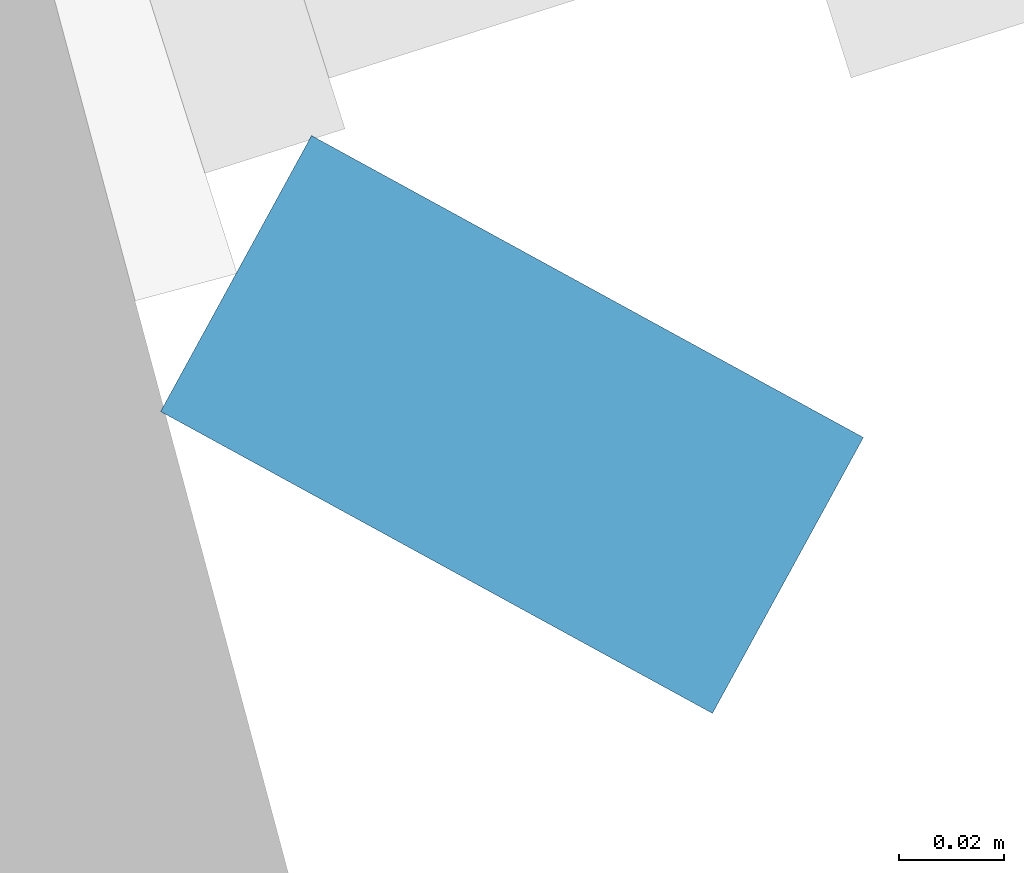
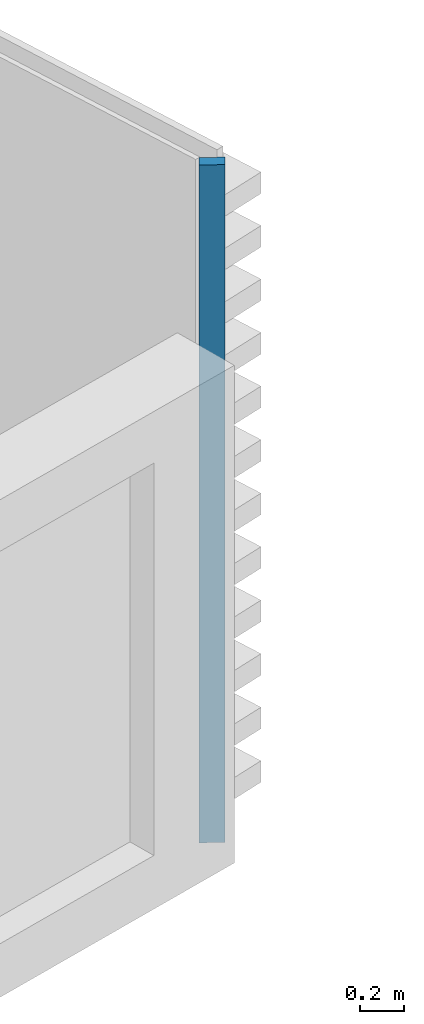
# One storey, part 18 of 40: 1 member, 1 element without a shape of its own.
"""IFC4 building model written with IfcOpenShell, lengths in metres."""

import ifcopenshell
import ifcopenshell.guid

model = None  # the IFC model being written
_history = None  # IfcOwnerHistory: only IFC2X3 demands one
_inside = {}  # id of a spatial element -> (the spatial element, [elements in it])
_under = {}  # id of a project, library or spatial element -> (it, [spatial elements below it])
_declared = {}  # id of a project -> (the project, [libraries it declares])
_typed = {}  # id of a type object -> (the type object, [elements of that type])
_made_of = {}  # id of a material, layer set ... -> (it, [elements and type objects made of it])


def new_model(schema):
    """Start an empty IFC model of exactly this schema.

    Asked for "IFC4X3", IfcOpenShell would pick the latest addendum, in which some entities
    have other attributes; the version numbers below select the first issue.
    IFC2X3 requires an IfcOwnerHistory on every rooted entity: one is made here for all.
    """
    global model, _history
    if schema == "IFC4X3":
        model = ifcopenshell.file(schema_version=(4, 3, 0, 0))
    else:
        model = ifcopenshell.file(schema=schema)
    _inside.clear()
    _under.clear()
    _declared.clear()
    _typed.clear()
    _made_of.clear()
    _history = None
    if model.schema == "IFC2X3":
        org = make("IfcOrganization", Name="unknown")
        user = make(
            "IfcPersonAndOrganization",
            ThePerson=make("IfcPerson", FamilyName="unknown"),
            TheOrganization=org,
        )
        app = make(
            "IfcApplication",
            ApplicationDeveloper=org,
            Version="unknown",
            ApplicationFullName="unknown",
            ApplicationIdentifier="unknown",
        )
        _history = make(
            "IfcOwnerHistory",
            OwningUser=user,
            OwningApplication=app,
            ChangeAction="ADDED",
            CreationDate=0,
        )
    return model


def make(cls, **values):
    """One entity of the class cls with the attributes given. An attribute that is None is left unset."""
    return model.create_entity(
        cls, **{name: value for name, value in values.items() if value is not None}
    )


def rooted(cls, **values):
    """An entity with a GlobalId (a new one), such as an element, a storey or a relation."""
    return make(cls, GlobalId=ifcopenshell.guid.new(), OwnerHistory=_history, **values)


def si_unit(unit_type, name, prefix=None):
    """IfcSIUnit, for example si_unit("LENGTHUNIT", "METRE", prefix="MILLI")."""
    return make("IfcSIUnit", UnitType=unit_type, Prefix=prefix, Name=name)


def assignment(units):
    """IfcUnitAssignment: the units of a project."""
    return None if units is None else make("IfcUnitAssignment", Units=units)


def point(xyz):
    """IfcCartesianPoint."""
    return None if xyz is None else make("IfcCartesianPoint", Coordinates=xyz)


def direction(xyz):
    """IfcDirection."""
    return None if xyz is None else make("IfcDirection", DirectionRatios=xyz)


def frame(location, z_axis=None, x_axis=None):
    """IfcAxis2Placement3D, a coordinate frame: its origin and axes. An axis left out is left unset."""
    return make(
        "IfcAxis2Placement3D",
        Location=point(location),
        Axis=direction(z_axis),
        RefDirection=direction(x_axis),
    )


def frame_2d(location, x_axis=None):
    """IfcAxis2Placement2D, a coordinate frame in the plane: its origin and x axis."""
    return make(
        "IfcAxis2Placement2D", Location=point(location), RefDirection=direction(x_axis)
    )


def origin():
    """The frame at (0, 0, 0) with its axes left unset."""
    return frame((0.0, 0.0, 0.0))


def origin_2d():
    """The frame at (0, 0) in the plane with its x axis left unset."""
    return frame_2d((0.0, 0.0))


def place(relative_to, where):
    """IfcLocalPlacement: puts the frame where relative to a parent placement (None: the world)."""
    return make(
        "IfcLocalPlacement", PlacementRelTo=relative_to, RelativePlacement=where
    )


def context(
    kind, dimensions, precision=None, world=None, true_north=None, identifier=None
):
    """IfcGeometricRepresentationContext, for example the 3D "Model" context."""
    return make(
        "IfcGeometricRepresentationContext",
        ContextIdentifier=identifier,
        ContextType=kind,
        CoordinateSpaceDimension=dimensions,
        Precision=precision,
        WorldCoordinateSystem=world,
        TrueNorth=true_north,
    )


def subcontext(parent, identifier, kind, view, scale=None):
    """IfcGeometricRepresentationSubContext, for example "Body" below "Model"."""
    return make(
        "IfcGeometricRepresentationSubContext",
        ContextIdentifier=identifier,
        ContextType=kind,
        ParentContext=parent,
        TargetScale=scale,
        TargetView=view,
    )


def project(units=None, contexts=None):
    """IfcProject with its units and contexts."""
    return rooted(
        "IfcProject",
        Name="project",
        RepresentationContexts=contexts,
        UnitsInContext=assignment(units),
    )


def spatial(cls, under=None, at=None, **own):
    """A site, building, storey or space (cls), placed at a placement, below another one or the project."""
    s = rooted(cls, ObjectPlacement=at, **own)
    if under is not None:
        _under.setdefault(under.id(), (under, []))[1].append(s)
    return s


def profile(cls, at=None, kind="AREA", **sizes):
    """A parametric profile (cls). Its sizes go by their IFC names, for example OverallWidth=200.0."""
    return make(cls, ProfileType=kind, Position=at, **sizes)


def rectangle(**sizes):
    """IfcRectangleProfileDef."""
    return profile("IfcRectangleProfileDef", **sizes)


def extrude(swept, where, along, depth):
    """IfcExtrudedAreaSolid: the profile swept, set in the frame where, extruded along a direction by depth."""
    return make(
        "IfcExtrudedAreaSolid",
        SweptArea=swept,
        Position=where,
        ExtrudedDirection=direction(along),
        Depth=depth,
    )


def shape(context_of_items, identifier, shape_type, items):
    """IfcShapeRepresentation: the items that make up one representation, for example the "Body"."""
    return make(
        "IfcShapeRepresentation",
        ContextOfItems=context_of_items,
        RepresentationIdentifier=identifier,
        RepresentationType=shape_type,
        Items=items,
    )


def material(Name=None, Category=None):
    """IfcMaterial."""
    return make("IfcMaterial", Name=Name, Category=Category)


def material_profile(
    of_material, cross_section, Name=None, Category=None, Priority=None
):
    """IfcMaterialProfile: a cross section and its material."""
    return make(
        "IfcMaterialProfile",
        Name=Name,
        Material=of_material,
        Profile=cross_section,
        Priority=Priority,
        Category=Category,
    )


def profile_set(profiles, Name=None, composite=None):
    """IfcMaterialProfileSet."""
    return make(
        "IfcMaterialProfileSet",
        Name=Name,
        MaterialProfiles=profiles,
        CompositeProfile=composite,
    )


def made_of(thing, what):
    """Note that an element or type object is made of a material, layer set ...; save() writes the relation."""
    if what is not None:
        _made_of.setdefault(what.id(), (what, []))[1].append(thing)
    return thing


def type_object(cls, material=None, **own):
    """A type object (cls), such as IfcWallType, which elements share."""
    return made_of(rooted(cls, **own), material)


def element(
    cls,
    number,
    at=None,
    inside=None,
    cuts=None,
    type_object=None,
    material=None,
    context=None,
    identifier="Body",
    shape_type=None,
    held_by="IfcProductDefinitionShape",
    body=None,
    shapes=None,
    **own,
):
    """One element of the class cls, such as IfcWall. Its Tag is "e" and its number.

    at: its placement. inside: the storey or other place that contains it. cuts: it is an
    opening in that element (IfcRelVoidsElement). A single representation is given by context,
    identifier, shape_type and body (its items); several are given by shapes. held_by: the class
    of the entity that holds the representations. save() writes the other relations.
    """
    e = rooted(cls, Tag="e%d" % number, ObjectPlacement=at, **own)
    if body is not None:
        shapes = [shape(context, identifier, shape_type, body)]
    if shapes is not None:
        e.Representation = make(held_by, Representations=shapes)
    if inside is not None:
        _inside.setdefault(inside.id(), (inside, []))[1].append(e)
    if cuts is not None:
        rooted(
            "IfcRelVoidsElement", RelatingBuildingElement=cuts, RelatedOpeningElement=e
        )
    if type_object is not None:
        _typed.setdefault(type_object.id(), (type_object, []))[1].append(e)
    return made_of(e, material)


def aggregate(whole, parts):
    """IfcRelAggregates: a whole, such as a stair, and the parts it consists of."""
    return rooted("IfcRelAggregates", RelatingObject=whole, RelatedObjects=parts)


def save(model, path):
    """Write the relations noted so far, then the file.

    IfcRelAggregates (storeys below a building ...), IfcRelContainedInSpatialStructure (elements
    in a storey), IfcRelDefinesByType, IfcRelAssociatesMaterial and IfcRelDeclares: one each for
    every whole, place, type object, material and project.
    """
    for whole, parts in _under.values():
        aggregate(whole, parts)
    for where, things in _inside.values():
        rooted(
            "IfcRelContainedInSpatialStructure",
            RelatedElements=things,
            RelatingStructure=where,
        )
    for kind, things in _typed.values():
        rooted("IfcRelDefinesByType", RelatedObjects=things, RelatingType=kind)
    for what, things in _made_of.values():
        rooted("IfcRelAssociatesMaterial", RelatedObjects=things, RelatingMaterial=what)
    for by, libraries in _declared.values():
        rooted("IfcRelDeclares", RelatingContext=by, RelatedDefinitions=libraries)
    model.write(path)


model = new_model("IFC4")

# Units and contexts
model_context = context("Model", 3, precision=1e-05, world=origin(), true_north=direction((0.0, 1.0)))
body_context = subcontext(model_context, "Body", "Model", "MODEL_VIEW")
ifc_project = project(units=[si_unit("LENGTHUNIT", "METRE"), si_unit("AREAUNIT", "SQUARE_METRE"), si_unit("VOLUMEUNIT", "CUBIC_METRE"), si_unit("PLANEANGLEUNIT", "RADIAN"), si_unit("MASSUNIT", "GRAM", prefix="KILO")], contexts=[model_context])

# Site, building, storey
site_placement = place(None, origin())
site = spatial("IfcSite", under=ifc_project, at=site_placement, CompositionType="ELEMENT")
building_placement = place(site_placement, origin())
building = spatial("IfcBuilding", under=site, at=building_placement, Name="Rimbun Link Towers", CompositionType="ELEMENT")
storey_placement = place(building_placement, frame((0.0, 0.0, 52.800048828125)))
storey = spatial("IfcBuildingStorey", under=building, at=storey_placement, Name="L12", CompositionType="ELEMENT", Elevation=52.800048828125)

# Curtain wall, member
ifc_material_1 = material(Name="Aluminium 6063-T6 and low-iron glass", Category="aluminium")
curtain_wall_type = type_object("IfcCurtainWallType", Name="CW1 unitised vision wall", PredefinedType="NOTDEFINED", material=ifc_material_1)
curtain_wall_placement = place(storey_placement, origin())
curtain_wall = element("IfcCurtainWall", 1, at=curtain_wall_placement, inside=storey, type_object=curtain_wall_type, Name="CW1 L12 T2", PredefinedType="NOTDEFINED")
ifc_material_2 = material(Name="Aluminium 6063-T6", Category="aluminium")
ifc_material_profile = material_profile(ifc_material_2, rectangle(XDim=0.1201171875, YDim=0.06005859375, at=origin_2d()), Name="MULLION 60X120")
ifc_profile_set = profile_set([ifc_material_profile], Name="Aluminium 6063-T6")
member_type = type_object("IfcMemberType", Name="CW1 mullion 60X120", PredefinedType="MULLION", material=ifc_profile_set)
member_placement = place(storey_placement, frame((53.410888671875, 5.760986328125, 0.0), z_axis=(0.0, 0.0, 1.0), x_axis=(0.877319066545, -0.479907548885, 0.0)))
member = element("IfcMember", 2, at=member_placement, type_object=member_type, Name="CW1 mullion", PredefinedType="MULLION", context=body_context, shape_type="SweptSolid", body=[
    extrude(rectangle(XDim=0.1201171875, YDim=0.06005859375, at=origin_2d()), origin(), (0.0, 0.0, 1.0), 3.800048828125),
])
aggregate(curtain_wall, [member])

save(model, "model.ifc")
